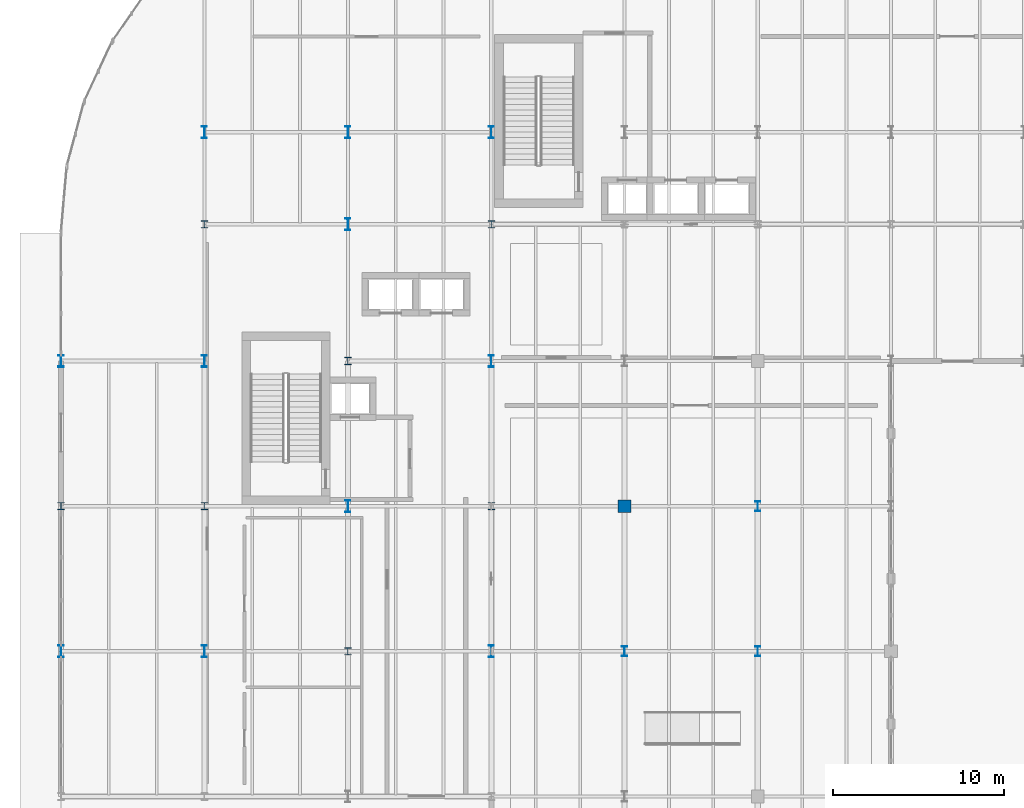
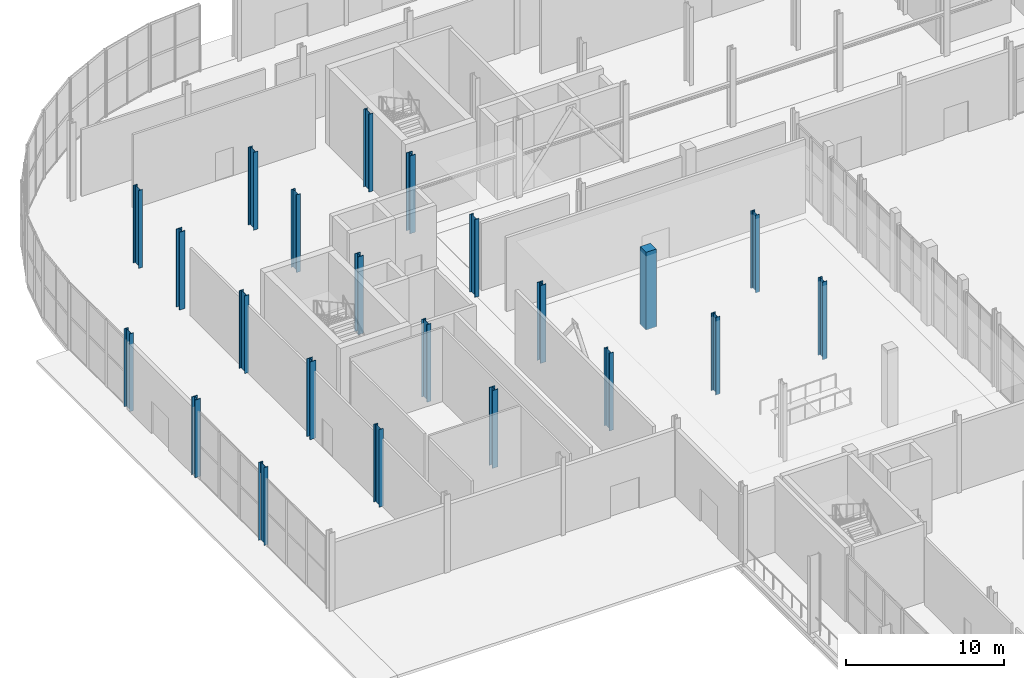
# One storey, part 8 of 84: 22 columns.
"""IFC4 building model written with IfcOpenShell, lengths in metres."""

from ifc_helpers import new_model, si_unit, direction, frame, origin, origin_2d, place, context, subcontext, project, spatial, rectangle, i_section, extrude, material, material_profile, profile_set, type_object, element, save


model = new_model("IFC4")

# Units and contexts
model_context = context("Model", 3, precision=1e-05, world=origin(), true_north=direction((0.0, 1.0)))
body_context = subcontext(model_context, "Body", "Model", "MODEL_VIEW")
ifc_project = project(units=[si_unit("LENGTHUNIT", "METRE"), si_unit("AREAUNIT", "SQUARE_METRE"), si_unit("VOLUMEUNIT", "CUBIC_METRE"), si_unit("PLANEANGLEUNIT", "RADIAN"), si_unit("MASSUNIT", "GRAM", prefix="KILO")], contexts=[model_context])

# Site, building, storey
site_placement = place(None, origin())
site = spatial("IfcSite", under=ifc_project, at=site_placement, CompositionType="ELEMENT")
building_placement = place(site_placement, origin())
building = spatial("IfcBuilding", under=site, at=building_placement, Name="Sefraquen Railside Congress Hotel", CompositionType="ELEMENT")
storey_placement = place(building_placement, origin())
storey = spatial("IfcBuildingStorey", under=building, at=storey_placement, Name="L00", CompositionType="ELEMENT", Elevation=0.0)

# Columns
ifc_material_1 = material(Name="Steel S355J2", Category="steel")
ifc_material_profile_1 = material_profile(ifc_material_1, i_section(OverallWidth=0.416015625, OverallDepth=0.446044921875, WebThickness=0.035888671875, FlangeThickness=0.048095703125, FilletRadius=0.014892578125, at=origin_2d()), Name="HD 400x509")
ifc_profile_set_1 = profile_set([ifc_material_profile_1], Name="Steel S355J2")
column_type_1 = type_object("IfcColumnType", Name="TC-HD-509", PredefinedType="COLUMN", material=ifc_profile_set_1)
for number, where, z_axis, x_axis, name in (
    (1, (0.0, 79.5, 0.0), (0.0, 0.0, 1.0), (1.0, 0.0, 0.0), "Structural column 1-K L00"),
    (2, (8.39990234375, 79.5, 0.0), (0.0, 0.0, 1.0), (1.0, 0.0, 0.0), "Structural column 2-K L00"),
    (3, (8.39990234375, 96.0, 0.0), (0.0, 0.0, 1.0), (1.0, 0.0, 0.0), "Structural column 2-M L00"),
    (4, (16.800048828125, 71.0, 0.0), (0.0, 0.0, 1.0), (1.0, 0.0, 0.0), "Structural column 3-J L00"),
    (5, (16.800048828125, 88.0, 0.0), (0.0, 0.0, 1.0), (1.0, 0.0, 0.0), "Structural column 3-L L00"),
    (6, (25.199951171875, 79.5, 0.0), (0.0, 0.0, 1.0), (1.0, 0.0, 0.0), "Structural column 4-K L00"),
    (7, (25.199951171875, 96.0, 0.0), (0.0, 0.0, 1.0), (1.0, 0.0, 0.0), "Structural column 4-M L00"),
):
    element("IfcColumn", number, at=place(storey_placement, frame(where, z_axis=z_axis, x_axis=x_axis)), inside=storey, type_object=column_type_1, Name=name, PredefinedType="COLUMN", context=body_context, shape_type="SweptSolid", body=[
        extrude(i_section(OverallWidth=0.416015625, OverallDepth=0.446044921875, WebThickness=0.035888671875, FlangeThickness=0.048095703125, FilletRadius=0.014892578125, at=origin_2d()), origin(), (0.0, 0.0, 1.0), 6.0),
    ])
ifc_material_2 = material(Name="Steel S355JR", Category="steel")
ifc_material_profile_2 = material_profile(ifc_material_2, i_section(OverallWidth=0.300048828125, OverallDepth=0.60009765625, WebThickness=0.015380859375, FlangeThickness=0.030029296875, FilletRadius=0.027099609375, at=origin_2d()), Name="HEB 600")
ifc_profile_set_2 = profile_set([ifc_material_profile_2], Name="Steel S355JR")
column_type_2 = type_object("IfcColumnType", Name="TC-HEB-600", PredefinedType="COLUMN", material=ifc_profile_set_2)
for number, where, z_axis, x_axis, name in (
    (8, (33.0, 71.0, 0.0), (0.0, 0.0, 1.0), (1.0, 0.0, 0.0), "Structural column 5-J L00"),
    (9, (40.800048828125, 71.0, 0.0), (0.0, 0.0, 1.0), (1.0, 0.0, 0.0), "Structural column 6-J L00"),
    (10, (40.800048828125, 79.5, 0.0), (0.0, 0.0, 1.0), (1.0, 0.0, 0.0), "Structural column 6-K L00"),
):
    element("IfcColumn", number, at=place(storey_placement, frame(where, z_axis=z_axis, x_axis=x_axis)), inside=storey, type_object=column_type_2, Name=name, PredefinedType="COLUMN", context=body_context, shape_type="SweptSolid", body=[
        extrude(i_section(OverallWidth=0.300048828125, OverallDepth=0.60009765625, WebThickness=0.015380859375, FlangeThickness=0.030029296875, FilletRadius=0.027099609375, at=origin_2d()), origin(), (0.0, 0.0, 1.0), 6.0),
    ])
ifc_material_profile_3 = material_profile(ifc_material_2, i_section(OverallWidth=0.300048828125, OverallDepth=0.699951171875, WebThickness=0.01708984375, FlangeThickness=0.031982421875, FilletRadius=0.027099609375, at=origin_2d()), Name="HEB 700")
ifc_profile_set_3 = profile_set([ifc_material_profile_3], Name="Steel S355JR")
column_type_3 = type_object("IfcColumnType", Name="TC-HEB-700", PredefinedType="COLUMN", material=ifc_profile_set_3)
for number, where, z_axis, x_axis, name in (
    (11, (0.0, 71.0, 0.0), (0.0, 0.0, 1.0), (1.0, 0.0, 0.0), "Structural column 1-J L00"),
    (12, (0.0, 88.0, 0.0), (0.0, 0.0, 1.0), (1.0, 0.0, 0.0), "Structural column 1-L L00"),
    (13, (8.39990234375, 71.0, 0.0), (0.0, 0.0, 1.0), (1.0, 0.0, 0.0), "Structural column 2-J L00"),
    (14, (8.39990234375, 88.0, 0.0), (0.0, 0.0, 1.0), (1.0, 0.0, 0.0), "Structural column 2-L L00"),
    (15, (16.800048828125, 79.5, 0.0), (0.0, 0.0, 1.0), (1.0, 0.0, 0.0), "Structural column 3-K L00"),
    (16, (16.800048828125, 96.0, 0.0), (0.0, 0.0, 1.0), (1.0, 0.0, 0.0), "Structural column 3-M L00"),
    (17, (25.199951171875, 71.0, 0.0), (0.0, 0.0, 1.0), (1.0, 0.0, 0.0), "Structural column 4-J L00"),
    (18, (25.199951171875, 88.0, 0.0), (0.0, 0.0, 1.0), (1.0, 0.0, 0.0), "Structural column 4-L L00"),
    (19, (8.39990234375, 101.39990234375, 0.0), (0.0, 0.0, 1.0), (1.0, 0.0, 0.0), "Structural column 2-N L00"),
    (20, (16.800048828125, 101.39990234375, 0.0), (0.0, 0.0, 1.0), (1.0, 0.0, 0.0), "Structural column 3-N L00"),
    (21, (25.199951171875, 101.39990234375, 0.0), (0.0, 0.0, 1.0), (1.0, 0.0, 0.0), "Structural column 4-N L00"),
):
    element("IfcColumn", number, at=place(storey_placement, frame(where, z_axis=z_axis, x_axis=x_axis)), inside=storey, type_object=column_type_3, Name=name, PredefinedType="COLUMN", context=body_context, shape_type="SweptSolid", body=[
        extrude(i_section(OverallWidth=0.300048828125, OverallDepth=0.699951171875, WebThickness=0.01708984375, FlangeThickness=0.031982421875, FilletRadius=0.027099609375, at=origin_2d()), origin(), (0.0, 0.0, 1.0), 6.0),
    ])
ifc_material_3 = material(Name="Concrete C50/60", Category="concrete")
ifc_material_profile_4 = material_profile(ifc_material_3, rectangle(XDim=0.75, YDim=0.75, at=origin_2d()), Name="RC 750x750")
ifc_profile_set_4 = profile_set([ifc_material_profile_4], Name="Concrete C50/60")
column_type_4 = type_object("IfcColumnType", Name="TC-RC-750", PredefinedType="COLUMN", material=ifc_profile_set_4)
column_placement = place(storey_placement, frame((33.0, 79.5, 0.0), z_axis=(0.0, 0.0, 1.0), x_axis=(1.0, 0.0, 0.0)))
element("IfcColumn", 22, at=column_placement, inside=storey, type_object=column_type_4, Name="Structural column 5-K L00", PredefinedType="COLUMN", context=body_context, shape_type="SweptSolid", body=[
    extrude(rectangle(XDim=0.75, YDim=0.75, at=origin_2d()), origin(), (0.0, 0.0, 1.0), 6.0),
])

save(model, "model.ifc")
